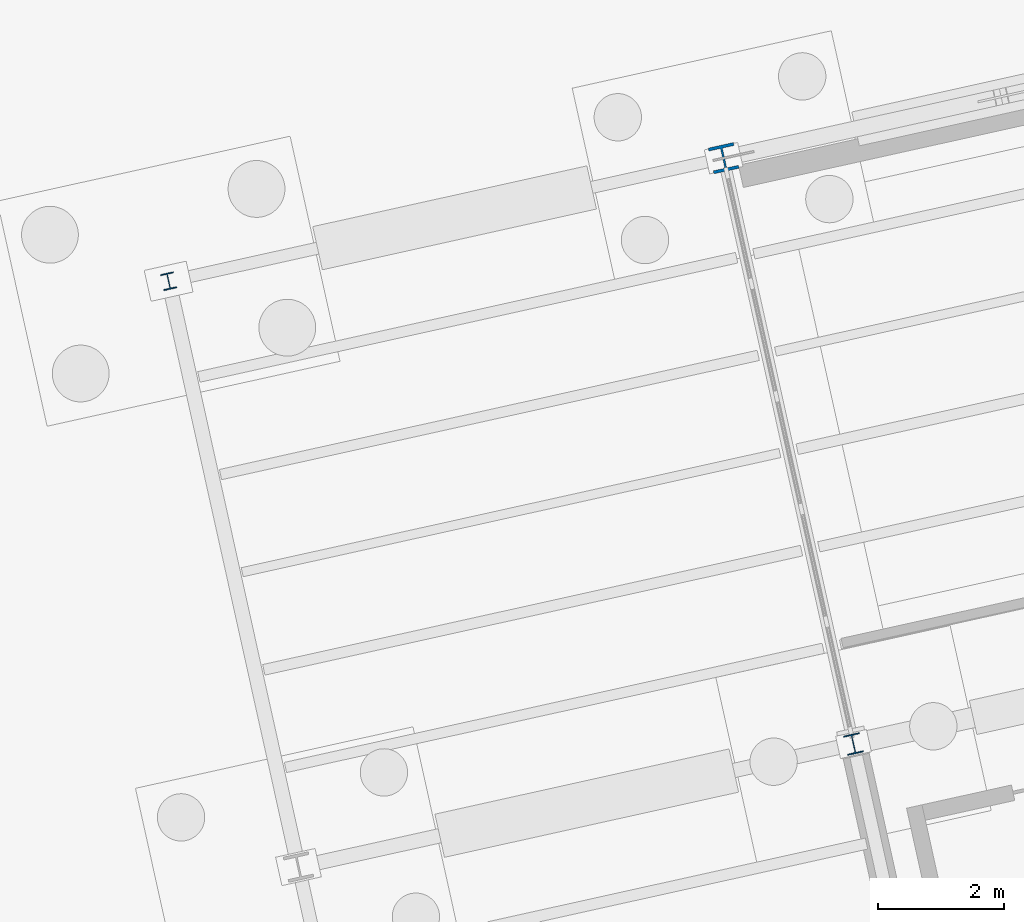
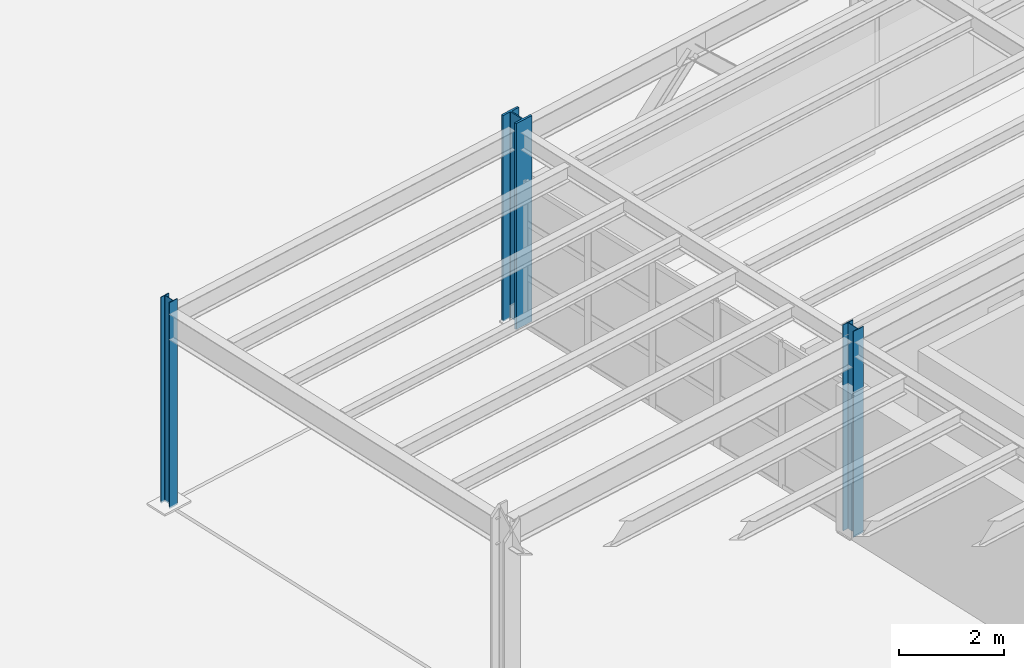
# One storey, part 27 of 108: 3 columns.
"""IFC4 building model written with IfcOpenShell, lengths in metres."""

from ifc_helpers import new_model, si_unit, direction, frame, origin, origin_2d, place, context, subcontext, project, spatial, i_section, extrude, material, material_profile, profile_set, type_object, element, save


model = new_model("IFC4")

# Units and contexts
model_context = context("Model", 3, precision=1e-05, world=origin(), true_north=direction((0.0, 1.0)))
body_context = subcontext(model_context, "Body", "Model", "MODEL_VIEW")
ifc_project = project(units=[si_unit("LENGTHUNIT", "METRE"), si_unit("AREAUNIT", "SQUARE_METRE"), si_unit("VOLUMEUNIT", "CUBIC_METRE"), si_unit("PLANEANGLEUNIT", "RADIAN"), si_unit("MASSUNIT", "GRAM", prefix="KILO")], contexts=[model_context])

# Site, building, storey
site_placement = place(None, origin())
site = spatial("IfcSite", under=ifc_project, at=site_placement, CompositionType="ELEMENT")
building_placement = place(site_placement, origin())
building = spatial("IfcBuilding", under=site, at=building_placement, Name="Vireo Bluff Cable Station", CompositionType="ELEMENT")
storey_placement = place(building_placement, origin())
storey = spatial("IfcBuildingStorey", under=building, at=storey_placement, Name="L00", CompositionType="ELEMENT", Elevation=0.0)

# Columns
ifc_material = material(Name="Steel ASTM A992 Gr. 50", Category="steel")
ifc_material_profile_1 = material_profile(ifc_material, i_section(OverallWidth=0.406005859375, OverallDepth=0.4169921875, WebThickness=0.02978515625, FlangeThickness=0.048095703125, FilletRadius=0.014892578125, at=origin_2d()), Name="W14X257")
ifc_profile_set_1 = profile_set([ifc_material_profile_1], Name="Steel ASTM A992 Gr. 50")
column_type_1 = type_object("IfcColumnType", Name="ECOL-W14X257", PredefinedType="COLUMN", material=ifc_profile_set_1)
column_1_placement = place(storey_placement, frame((128.6181640625, 103.7724609375, 0.0), z_axis=(0.0, 0.0, 1.0), x_axis=(0.97629600712, 0.216439613938, 0.0)))
element("IfcColumn", 1, at=column_1_placement, inside=storey, type_object=column_type_1, Name="V2 L00 column 146", PredefinedType="COLUMN", context=body_context, shape_type="SweptSolid", body=[
    extrude(i_section(OverallWidth=0.406005859375, OverallDepth=0.4169921875, WebThickness=0.02978515625, FlangeThickness=0.048095703125, FilletRadius=0.014892578125, at=origin_2d()), origin(), (0.0, 0.0, 1.0), 4.800048828125),
])
ifc_material_profile_2 = material_profile(ifc_material, i_section(OverallWidth=0.2041015625, OverallDepth=0.257080078125, WebThickness=0.0087890625, FlangeThickness=0.015625, FilletRadius=0.009033203125, at=origin_2d()), Name="W10X45")
ifc_profile_set_2 = profile_set([ifc_material_profile_2], Name="Steel ASTM A992 Gr. 50")
column_type_2 = type_object("IfcColumnType", Name="PIL-W10X45", PredefinedType="PILASTER", material=ifc_profile_set_2)
column_2_placement = place(storey_placement, frame((119.83154296875, 101.824462890625, 0.0), z_axis=(0.0, 0.0, 1.0), x_axis=(0.97629600712, 0.216439613938, 0.0)))
element("IfcColumn", 2, at=column_2_placement, inside=storey, type_object=column_type_2, Name="V2 L00 column 132", PredefinedType="PILASTER", context=body_context, shape_type="SweptSolid", body=[
    extrude(i_section(OverallWidth=0.2041015625, OverallDepth=0.257080078125, WebThickness=0.0087890625, FlangeThickness=0.015625, FilletRadius=0.009033203125, at=origin_2d()), origin(), (0.0, 0.0, 1.0), 4.800048828125),
])
ifc_material_profile_3 = material_profile(ifc_material, i_section(OverallWidth=0.25390625, OverallDepth=0.31005859375, WebThickness=0.009033203125, FlangeThickness=0.016357421875, FilletRadius=0.010986328125, at=origin_2d()), Name="W12X58")
ifc_profile_set_3 = profile_set([ifc_material_profile_3], Name="Steel ASTM A992 Gr. 50")
column_type_3 = type_object("IfcColumnType", Name="PIL-W12X58", PredefinedType="PILASTER", material=ifc_profile_set_3)
column_3_placement = place(storey_placement, frame((130.67431640625, 94.49755859375, 0.0), z_axis=(0.0, 0.0, 1.0), x_axis=(0.97629600712, 0.216439613938, 0.0)))
element("IfcColumn", 3, at=column_3_placement, inside=storey, type_object=column_type_3, Name="V2 L00 column 142", PredefinedType="PILASTER", context=body_context, shape_type="SweptSolid", body=[
    extrude(i_section(OverallWidth=0.25390625, OverallDepth=0.31005859375, WebThickness=0.009033203125, FlangeThickness=0.016357421875, FilletRadius=0.010986328125, at=origin_2d()), origin(), (0.0, 0.0, 1.0), 4.800048828125),
])

save(model, "model.ifc")
